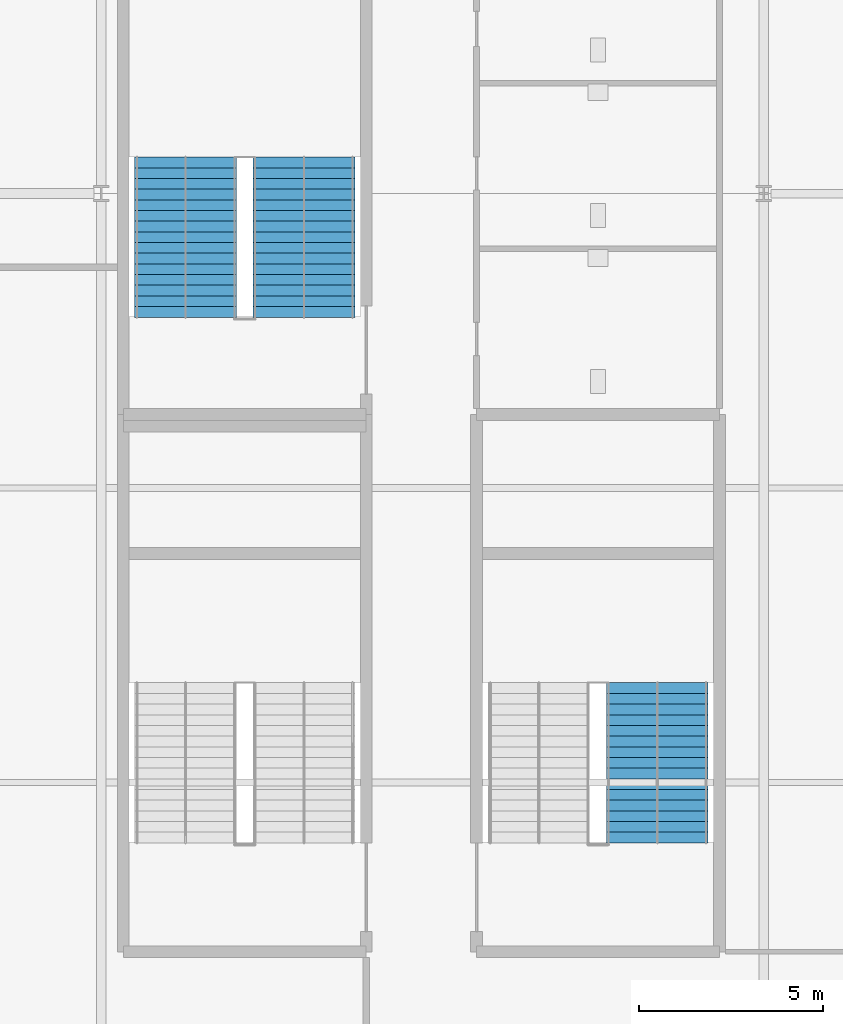
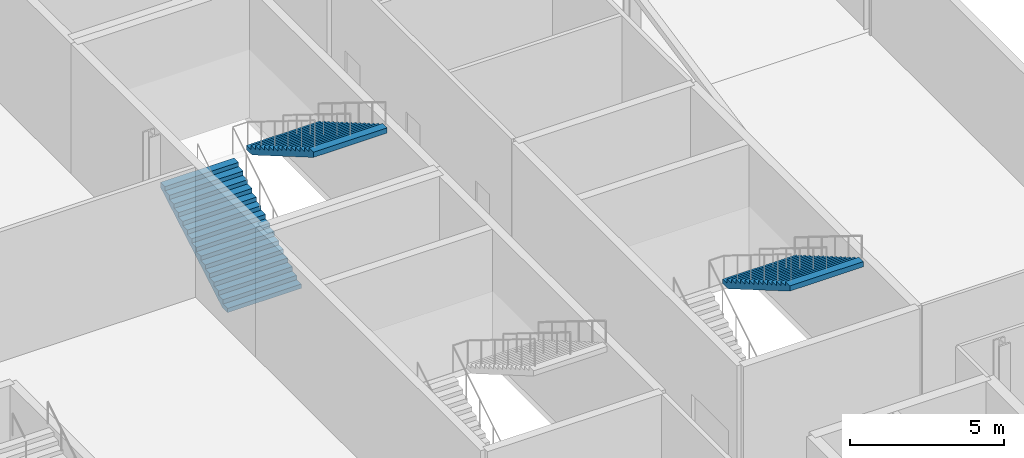
# One storey, part 91 of 113: 3 stair flights, 2 elements without a shape of their own.
"""IFC4 building model written with IfcOpenShell, lengths in metres."""

from ifc_helpers import new_model, si_unit, direction, frame, origin, place, context, subcontext, project, spatial, polygons, material, type_object, element, aggregate, save


model = new_model("IFC4")

# Units and contexts
model_context = context("Model", 3, precision=1e-05, world=origin(), true_north=direction((0.0, 1.0)))
body_context = subcontext(model_context, "Body", "Model", "MODEL_VIEW")
ifc_project = project(units=[si_unit("LENGTHUNIT", "METRE"), si_unit("AREAUNIT", "SQUARE_METRE"), si_unit("VOLUMEUNIT", "CUBIC_METRE"), si_unit("PLANEANGLEUNIT", "RADIAN"), si_unit("MASSUNIT", "GRAM", prefix="KILO")], contexts=[model_context])

# Site, building, storey
site_placement = place(None, origin())
site = spatial("IfcSite", under=ifc_project, at=site_placement, CompositionType="ELEMENT")
building_placement = place(site_placement, origin())
building = spatial("IfcBuilding", under=site, at=building_placement, Name="Kisiwana Market Hall", CompositionType="ELEMENT")
storey_placement = place(building_placement, frame((0.0, 0.0, 6.0)))
storey = spatial("IfcBuildingStorey", under=building, at=storey_placement, Name="L01", CompositionType="ELEMENT", Elevation=6.0)

# Stair, stair flight
ifc_material_1 = material(Name="Concrete C32/40", Category="concrete")
stair_type = type_object("IfcStairType", Name="ST-ESC-5400", PredefinedType="TWO_STRAIGHT_RUN_STAIR", material=ifc_material_1)
stair_1_placement = place(storey_placement, origin())
stair_1 = element("IfcStair", 1, at=stair_1_placement, inside=storey, type_object=stair_type, Name="Escape stair ST-E3-L01", PredefinedType="TWO_STRAIGHT_RUN_STAIR")
ifc_material_2 = material(Name="Concrete C32/40", Category="concrete")
stair_flight_type = type_object("IfcStairFlightType", Name="SF-ESC-5400", PredefinedType="STRAIGHT", material=ifc_material_2)
stair_flight_1_placement = place(storey_placement, frame((186.110107421875, 46.7099609375, 2.699951171875), z_axis=(0.0, 0.0, 1.0), x_axis=(0.0, -1.0, 0.0)))
stair_flight_1 = element("IfcStairFlight", 2, at=stair_flight_1_placement, type_object=stair_flight_type, Name="ST-E3-L01 flight 2", NumberOfRisers=16, NumberOfTreads=15, PredefinedType="STRAIGHT", RiserHeight=0.16875, TreadLength=0.29, context=body_context, shape_type="Tessellation", body=[
    polygons([(0.0, -1.380127, 0.0), (0.0, -0.690125, 0.0), (0.0, -0.000122, 0.0), (0.0, 0.68988, 0.0), (0.0, 1.379883, 0.0), (0.0, -1.380127, 0.168701), (0.0, -0.690125, 0.168701), (0.0, -0.000122, 0.168701), (0.0, 0.68988, 0.168701), (0.0, 1.379883, 0.168701), (0.290039, -1.380127, 0.168701), (0.290039, -0.690125, 0.168701), (0.290039, -0.000122, 0.168701), (0.290039, 0.68988, 0.168701), (0.290039, 1.379883, 0.168701), (0.290039, -1.380127, 0.337402), (0.290039, -0.690125, 0.337402), (0.290039, -0.000122, 0.337402), (0.290039, 0.68988, 0.337402), (0.290039, 1.379883, 0.337402), (0.580078, -1.380127, 0.337402), (0.580078, -0.690125, 0.337402), (0.580078, -0.000122, 0.337402), (0.580078, 0.68988, 0.337402), (0.580078, 1.379883, 0.337402), (0.580078, -1.380127, 0.506348), (0.580078, -0.690125, 0.506348), (0.580078, -0.000122, 0.506348), (0.580078, 0.68988, 0.506348), (0.580078, 1.379883, 0.506348), (0.870117, -1.380127, 0.506348), (0.870117, -0.690125, 0.506348), (0.870117, -0.000122, 0.506348), (0.870117, 0.68988, 0.506348), (0.870117, 1.379883, 0.506348), (0.870117, -1.380127, 0.675049), (0.870117, -0.690125, 0.675049), (0.870117, -0.000122, 0.675049), (0.870117, 0.68988, 0.675049), (0.870117, 1.379883, 0.675049), (1.159912, -1.380127, 0.675049), (1.159912, -0.690125, 0.675049), (1.159912, -0.000122, 0.675049), (1.159912, 0.68988, 0.675049), (1.159912, 1.379883, 0.675049), (1.159912, -1.380127, 0.84375), (1.159912, -0.690125, 0.84375), (1.159912, -0.000122, 0.84375), (1.159912, 0.68988, 0.84375), (1.159912, 1.379883, 0.84375), (1.449951, -1.380127, 0.84375), (1.449951, -0.690125, 0.84375), (1.449951, -0.000122, 0.84375), (1.449951, 0.68988, 0.84375), (1.449951, 1.379883, 0.84375), (1.449951, -1.380127, 1.012451), (1.449951, -0.690125, 1.012451), (1.449951, -0.000122, 1.012451), (1.449951, 0.68988, 1.012451), (1.449951, 1.379883, 1.012451), (1.73999, -1.380127, 1.012451), (1.73999, -0.690125, 1.012451), (1.73999, -0.000122, 1.012451), (1.73999, 0.68988, 1.012451), (1.73999, 1.379883, 1.012451), (1.73999, -1.380127, 1.181152), (1.73999, -0.690125, 1.181152), (1.73999, -0.000122, 1.181152), (1.73999, 0.68988, 1.181152), (1.73999, 1.379883, 1.181152), (2.030029, -1.380127, 1.181152), (2.030029, -0.690125, 1.181152), (2.030029, -0.000122, 1.181152), (2.030029, 0.68988, 1.181152), (2.030029, 1.379883, 1.181152), (2.030029, -1.380127, 1.350098), (2.030029, -0.690125, 1.350098), (2.030029, -0.000122, 1.350098), (2.030029, 0.68988, 1.350098), (2.030029, 1.379883, 1.350098), (2.320068, -1.380127, 1.350098), (2.320068, -0.690125, 1.350098), (2.320068, -0.000122, 1.350098), (2.320068, 0.68988, 1.350098), (2.320068, 1.379883, 1.350098), (2.320068, -1.380127, 1.518799), (2.320068, -0.690125, 1.518799), (2.320068, -0.000122, 1.518799), (2.320068, 0.68988, 1.518799), (2.320068, 1.379883, 1.518799), (2.610107, -1.380127, 1.518799), (2.610107, -0.690125, 1.518799), (2.610107, -0.000122, 1.518799), (2.610107, 0.68988, 1.518799), (2.610107, 1.379883, 1.518799), (2.610107, -1.380127, 1.6875), (2.610107, -0.690125, 1.6875), (2.610107, -0.000122, 1.6875), (2.610107, 0.68988, 1.6875), (2.610107, 1.379883, 1.6875), (2.899902, -1.380127, 1.6875), (2.899902, -0.690125, 1.6875), (2.899902, -0.000122, 1.6875), (2.899902, 0.68988, 1.6875), (2.899902, 1.379883, 1.6875), (2.899902, -1.380127, 1.856201), (2.899902, -0.690125, 1.856201), (2.899902, -0.000122, 1.856201), (2.899902, 0.68988, 1.856201), (2.899902, 1.379883, 1.856201), (3.189941, -1.380127, 1.856201), (3.189941, -0.690125, 1.856201), (3.189941, -0.000122, 1.856201), (3.189941, 0.68988, 1.856201), (3.189941, 1.379883, 1.856201), (3.189941, -1.380127, 2.024902), (3.189941, -0.690125, 2.024902), (3.189941, -0.000122, 2.024902), (3.189941, 0.68988, 2.024902), (3.189941, 1.379883, 2.024902), (3.47998, -1.380127, 2.024902), (3.47998, -0.690125, 2.024902), (3.47998, -0.000122, 2.024902), (3.47998, 0.68988, 2.024902), (3.47998, 1.379883, 2.024902), (3.47998, -1.380127, 2.193848), (3.47998, -0.690125, 2.193848), (3.47998, -0.000122, 2.193848), (3.47998, 0.68988, 2.193848), (3.47998, 1.379883, 2.193848), (3.77002, -1.380127, 2.193848), (3.77002, -0.690125, 2.193848), (3.77002, -0.000122, 2.193848), (3.77002, 0.68988, 2.193848), (3.77002, 1.379883, 2.193848), (3.77002, -1.380127, 2.362549), (3.77002, -0.690125, 2.362549), (3.77002, -0.000122, 2.362549), (3.77002, 0.68988, 2.362549), (3.77002, 1.379883, 2.362549), (4.060059, -1.380127, 2.362549), (4.060059, -0.690125, 2.362549), (4.060059, -0.000122, 2.362549), (4.060059, 0.68988, 2.362549), (4.060059, 1.379883, 2.362549), (4.060059, -1.380127, 2.53125), (4.060059, -0.690125, 2.53125), (4.060059, -0.000122, 2.53125), (4.060059, 0.68988, 2.53125), (4.060059, 1.379883, 2.53125), (4.350098, -1.380127, 2.53125), (4.350098, -0.690125, 2.53125), (4.350098, -0.000122, 2.53125), (4.350098, 0.68988, 2.53125), (4.350098, 1.379883, 2.53125), (4.350098, -1.380127, 2.322998), (4.350098, -0.690125, 2.322998), (4.350098, -0.000122, 2.322998), (4.350098, 0.68988, 2.322998), (4.350098, 1.379883, 2.322998), (0.357666, -1.380127, 0.0), (0.357666, -0.690125, 0.0), (0.357666, -0.000122, 0.0), (0.357666, 0.68988, 0.0), (0.357666, 1.379883, 0.0)], [[[1, 6, 7, 2]], [[2, 7, 8, 3]], [[3, 8, 9, 4]], [[4, 9, 10, 5]], [[6, 11, 12, 7]], [[7, 12, 13, 8]], [[8, 13, 14, 9]], [[9, 14, 15, 10]], [[11, 16, 17, 12]], [[12, 17, 18, 13]], [[13, 18, 19, 14]], [[14, 19, 20, 15]], [[16, 21, 22, 17]], [[17, 22, 23, 18]], [[18, 23, 24, 19]], [[19, 24, 25, 20]], [[21, 26, 27, 22]], [[22, 27, 28, 23]], [[23, 28, 29, 24]], [[24, 29, 30, 25]], [[26, 31, 32, 27]], [[27, 32, 33, 28]], [[28, 33, 34, 29]], [[29, 34, 35, 30]], [[31, 36, 37, 32]], [[32, 37, 38, 33]], [[33, 38, 39, 34]], [[34, 39, 40, 35]], [[36, 41, 42, 37]], [[37, 42, 43, 38]], [[38, 43, 44, 39]], [[39, 44, 45, 40]], [[41, 46, 47, 42]], [[42, 47, 48, 43]], [[43, 48, 49, 44]], [[44, 49, 50, 45]], [[46, 51, 52, 47]], [[47, 52, 53, 48]], [[48, 53, 54, 49]], [[49, 54, 55, 50]], [[51, 56, 57, 52]], [[52, 57, 58, 53]], [[53, 58, 59, 54]], [[54, 59, 60, 55]], [[56, 61, 62, 57]], [[57, 62, 63, 58]], [[58, 63, 64, 59]], [[59, 64, 65, 60]], [[61, 66, 67, 62]], [[62, 67, 68, 63]], [[63, 68, 69, 64]], [[64, 69, 70, 65]], [[66, 71, 72, 67]], [[67, 72, 73, 68]], [[68, 73, 74, 69]], [[69, 74, 75, 70]], [[71, 76, 77, 72]], [[72, 77, 78, 73]], [[73, 78, 79, 74]], [[74, 79, 80, 75]], [[76, 81, 82, 77]], [[77, 82, 83, 78]], [[78, 83, 84, 79]], [[79, 84, 85, 80]], [[81, 86, 87, 82]], [[82, 87, 88, 83]], [[83, 88, 89, 84]], [[84, 89, 90, 85]], [[86, 91, 92, 87]], [[87, 92, 93, 88]], [[88, 93, 94, 89]], [[89, 94, 95, 90]], [[91, 96, 97, 92]], [[92, 97, 98, 93]], [[93, 98, 99, 94]], [[94, 99, 100, 95]], [[96, 101, 102, 97]], [[97, 102, 103, 98]], [[98, 103, 104, 99]], [[99, 104, 105, 100]], [[101, 106, 107, 102]], [[102, 107, 108, 103]], [[103, 108, 109, 104]], [[104, 109, 110, 105]], [[106, 111, 112, 107]], [[107, 112, 113, 108]], [[108, 113, 114, 109]], [[109, 114, 115, 110]], [[111, 116, 117, 112]], [[112, 117, 118, 113]], [[113, 118, 119, 114]], [[114, 119, 120, 115]], [[116, 121, 122, 117]], [[117, 122, 123, 118]], [[118, 123, 124, 119]], [[119, 124, 125, 120]], [[121, 126, 127, 122]], [[122, 127, 128, 123]], [[123, 128, 129, 124]], [[124, 129, 130, 125]], [[126, 131, 132, 127]], [[127, 132, 133, 128]], [[128, 133, 134, 129]], [[129, 134, 135, 130]], [[131, 136, 137, 132]], [[132, 137, 138, 133]], [[133, 138, 139, 134]], [[134, 139, 140, 135]], [[136, 141, 142, 137]], [[137, 142, 143, 138]], [[138, 143, 144, 139]], [[139, 144, 145, 140]], [[141, 146, 147, 142]], [[142, 147, 148, 143]], [[143, 148, 149, 144]], [[144, 149, 150, 145]], [[146, 151, 152, 147]], [[147, 152, 153, 148]], [[148, 153, 154, 149]], [[149, 154, 155, 150]], [[151, 156, 157, 152]], [[152, 157, 158, 153]], [[153, 158, 159, 154]], [[154, 159, 160, 155]], [[156, 161, 162, 157]], [[157, 162, 163, 158]], [[158, 163, 164, 159]], [[159, 164, 165, 160]], [[161, 1, 2, 162]], [[162, 2, 3, 163]], [[163, 3, 4, 164]], [[164, 4, 5, 165]], [[161, 156, 151, 146, 141, 136, 131, 126, 121, 116, 111, 106, 101, 96, 91, 86, 81, 76, 71, 66, 61, 56, 51, 46, 41, 36, 31, 26, 21, 16, 11, 6, 1]], [[5, 10, 15, 20, 25, 30, 35, 40, 45, 50, 55, 60, 65, 70, 75, 80, 85, 90, 95, 100, 105, 110, 115, 120, 125, 130, 135, 140, 145, 150, 155, 160, 165]]], closed=True),
])
aggregate(stair_1, [stair_flight_1])

# Stair, stair flights
stair_2_placement = place(storey_placement, origin())
stair_2 = element("IfcStair", 3, at=stair_2_placement, inside=storey, type_object=stair_type, Name="Escape stair ST-E5-L01", PredefinedType="TWO_STRAIGHT_RUN_STAIR")
stair_flight_2_placement = place(storey_placement, frame((173.2900390625, 56.639892578125, 0.0), z_axis=(0.0, 0.0, 1.0), x_axis=(0.0, 1.0, 0.0)))
stair_flight_2 = element("IfcStairFlight", 4, at=stair_flight_2_placement, type_object=stair_flight_type, Name="ST-E5-L01 flight 1", NumberOfRisers=16, NumberOfTreads=15, PredefinedType="STRAIGHT", RiserHeight=0.16875, TreadLength=0.29, context=body_context, shape_type="Tessellation", body=[
    polygons([(0.0, -1.380127, 0.0), (0.0, -0.690125, 0.0), (0.0, -0.000122, 0.0), (0.0, 0.68988, 0.0), (0.0, 1.379883, 0.0), (0.0, -1.380127, 0.168701), (0.0, -0.690125, 0.168701), (0.0, -0.000122, 0.168701), (0.0, 0.68988, 0.168701), (0.0, 1.379883, 0.168701), (0.290039, -1.380127, 0.168701), (0.290039, -0.690125, 0.168701), (0.290039, -0.000122, 0.168701), (0.290039, 0.68988, 0.168701), (0.290039, 1.379883, 0.168701), (0.290039, -1.380127, 0.337402), (0.290039, -0.690125, 0.337402), (0.290039, -0.000122, 0.337402), (0.290039, 0.68988, 0.337402), (0.290039, 1.379883, 0.337402), (0.580078, -1.380127, 0.337402), (0.580078, -0.690125, 0.337402), (0.580078, -0.000122, 0.337402), (0.580078, 0.68988, 0.337402), (0.580078, 1.379883, 0.337402), (0.580078, -1.380127, 0.506348), (0.580078, -0.690125, 0.506348), (0.580078, -0.000122, 0.506348), (0.580078, 0.68988, 0.506348), (0.580078, 1.379883, 0.506348), (0.870117, -1.380127, 0.506348), (0.870117, -0.690125, 0.506348), (0.870117, -0.000122, 0.506348), (0.870117, 0.68988, 0.506348), (0.870117, 1.379883, 0.506348), (0.870117, -1.380127, 0.675049), (0.870117, -0.690125, 0.675049), (0.870117, -0.000122, 0.675049), (0.870117, 0.68988, 0.675049), (0.870117, 1.379883, 0.675049), (1.159912, -1.380127, 0.675049), (1.159912, -0.690125, 0.675049), (1.159912, -0.000122, 0.675049), (1.159912, 0.68988, 0.675049), (1.159912, 1.379883, 0.675049), (1.159912, -1.380127, 0.84375), (1.159912, -0.690125, 0.84375), (1.159912, -0.000122, 0.84375), (1.159912, 0.68988, 0.84375), (1.159912, 1.379883, 0.84375), (1.449951, -1.380127, 0.84375), (1.449951, -0.690125, 0.84375), (1.449951, -0.000122, 0.84375), (1.449951, 0.68988, 0.84375), (1.449951, 1.379883, 0.84375), (1.449951, -1.380127, 1.012451), (1.449951, -0.690125, 1.012451), (1.449951, -0.000122, 1.012451), (1.449951, 0.68988, 1.012451), (1.449951, 1.379883, 1.012451), (1.73999, -1.380127, 1.012451), (1.73999, -0.690125, 1.012451), (1.73999, -0.000122, 1.012451), (1.73999, 0.68988, 1.012451), (1.73999, 1.379883, 1.012451), (1.73999, -1.380127, 1.181152), (1.73999, -0.690125, 1.181152), (1.73999, -0.000122, 1.181152), (1.73999, 0.68988, 1.181152), (1.73999, 1.379883, 1.181152), (2.030029, -1.380127, 1.181152), (2.030029, -0.690125, 1.181152), (2.030029, -0.000122, 1.181152), (2.030029, 0.68988, 1.181152), (2.030029, 1.379883, 1.181152), (2.030029, -1.380127, 1.350098), (2.030029, -0.690125, 1.350098), (2.030029, -0.000122, 1.350098), (2.030029, 0.68988, 1.350098), (2.030029, 1.379883, 1.350098), (2.320068, -1.380127, 1.350098), (2.320068, -0.690125, 1.350098), (2.320068, -0.000122, 1.350098), (2.320068, 0.68988, 1.350098), (2.320068, 1.379883, 1.350098), (2.320068, -1.380127, 1.518799), (2.320068, -0.690125, 1.518799), (2.320068, -0.000122, 1.518799), (2.320068, 0.68988, 1.518799), (2.320068, 1.379883, 1.518799), (2.610107, -1.380127, 1.518799), (2.610107, -0.690125, 1.518799), (2.610107, -0.000122, 1.518799), (2.610107, 0.68988, 1.518799), (2.610107, 1.379883, 1.518799), (2.610107, -1.380127, 1.6875), (2.610107, -0.690125, 1.6875), (2.610107, -0.000122, 1.6875), (2.610107, 0.68988, 1.6875), (2.610107, 1.379883, 1.6875), (2.899902, -1.380127, 1.6875), (2.899902, -0.690125, 1.6875), (2.899902, -0.000122, 1.6875), (2.899902, 0.68988, 1.6875), (2.899902, 1.379883, 1.6875), (2.899902, -1.380127, 1.856201), (2.899902, -0.690125, 1.856201), (2.899902, -0.000122, 1.856201), (2.899902, 0.68988, 1.856201), (2.899902, 1.379883, 1.856201), (3.189941, -1.380127, 1.856201), (3.189941, -0.690125, 1.856201), (3.189941, -0.000122, 1.856201), (3.189941, 0.68988, 1.856201), (3.189941, 1.379883, 1.856201), (3.189941, -1.380127, 2.024902), (3.189941, -0.690125, 2.024902), (3.189941, -0.000122, 2.024902), (3.189941, 0.68988, 2.024902), (3.189941, 1.379883, 2.024902), (3.47998, -1.380127, 2.024902), (3.47998, -0.690125, 2.024902), (3.47998, -0.000122, 2.024902), (3.47998, 0.68988, 2.024902), (3.47998, 1.379883, 2.024902), (3.47998, -1.380127, 2.193848), (3.47998, -0.690125, 2.193848), (3.47998, -0.000122, 2.193848), (3.47998, 0.68988, 2.193848), (3.47998, 1.379883, 2.193848), (3.77002, -1.380127, 2.193848), (3.77002, -0.690125, 2.193848), (3.77002, -0.000122, 2.193848), (3.77002, 0.68988, 2.193848), (3.77002, 1.379883, 2.193848), (3.77002, -1.380127, 2.362549), (3.77002, -0.690125, 2.362549), (3.77002, -0.000122, 2.362549), (3.77002, 0.68988, 2.362549), (3.77002, 1.379883, 2.362549), (4.060059, -1.380127, 2.362549), (4.060059, -0.690125, 2.362549), (4.060059, -0.000122, 2.362549), (4.060059, 0.68988, 2.362549), (4.060059, 1.379883, 2.362549), (4.060059, -1.380127, 2.53125), (4.060059, -0.690125, 2.53125), (4.060059, -0.000122, 2.53125), (4.060059, 0.68988, 2.53125), (4.060059, 1.379883, 2.53125), (4.350098, -1.380127, 2.53125), (4.350098, -0.690125, 2.53125), (4.350098, -0.000122, 2.53125), (4.350098, 0.68988, 2.53125), (4.350098, 1.379883, 2.53125), (4.350098, -1.380127, 2.322998), (4.350098, -0.690125, 2.322998), (4.350098, -0.000122, 2.322998), (4.350098, 0.68988, 2.322998), (4.350098, 1.379883, 2.322998), (0.357666, -1.380127, 0.0), (0.357666, -0.690125, 0.0), (0.357666, -0.000122, 0.0), (0.357666, 0.68988, 0.0), (0.357666, 1.379883, 0.0)], [[[1, 6, 7, 2]], [[2, 7, 8, 3]], [[3, 8, 9, 4]], [[4, 9, 10, 5]], [[6, 11, 12, 7]], [[7, 12, 13, 8]], [[8, 13, 14, 9]], [[9, 14, 15, 10]], [[11, 16, 17, 12]], [[12, 17, 18, 13]], [[13, 18, 19, 14]], [[14, 19, 20, 15]], [[16, 21, 22, 17]], [[17, 22, 23, 18]], [[18, 23, 24, 19]], [[19, 24, 25, 20]], [[21, 26, 27, 22]], [[22, 27, 28, 23]], [[23, 28, 29, 24]], [[24, 29, 30, 25]], [[26, 31, 32, 27]], [[27, 32, 33, 28]], [[28, 33, 34, 29]], [[29, 34, 35, 30]], [[31, 36, 37, 32]], [[32, 37, 38, 33]], [[33, 38, 39, 34]], [[34, 39, 40, 35]], [[36, 41, 42, 37]], [[37, 42, 43, 38]], [[38, 43, 44, 39]], [[39, 44, 45, 40]], [[41, 46, 47, 42]], [[42, 47, 48, 43]], [[43, 48, 49, 44]], [[44, 49, 50, 45]], [[46, 51, 52, 47]], [[47, 52, 53, 48]], [[48, 53, 54, 49]], [[49, 54, 55, 50]], [[51, 56, 57, 52]], [[52, 57, 58, 53]], [[53, 58, 59, 54]], [[54, 59, 60, 55]], [[56, 61, 62, 57]], [[57, 62, 63, 58]], [[58, 63, 64, 59]], [[59, 64, 65, 60]], [[61, 66, 67, 62]], [[62, 67, 68, 63]], [[63, 68, 69, 64]], [[64, 69, 70, 65]], [[66, 71, 72, 67]], [[67, 72, 73, 68]], [[68, 73, 74, 69]], [[69, 74, 75, 70]], [[71, 76, 77, 72]], [[72, 77, 78, 73]], [[73, 78, 79, 74]], [[74, 79, 80, 75]], [[76, 81, 82, 77]], [[77, 82, 83, 78]], [[78, 83, 84, 79]], [[79, 84, 85, 80]], [[81, 86, 87, 82]], [[82, 87, 88, 83]], [[83, 88, 89, 84]], [[84, 89, 90, 85]], [[86, 91, 92, 87]], [[87, 92, 93, 88]], [[88, 93, 94, 89]], [[89, 94, 95, 90]], [[91, 96, 97, 92]], [[92, 97, 98, 93]], [[93, 98, 99, 94]], [[94, 99, 100, 95]], [[96, 101, 102, 97]], [[97, 102, 103, 98]], [[98, 103, 104, 99]], [[99, 104, 105, 100]], [[101, 106, 107, 102]], [[102, 107, 108, 103]], [[103, 108, 109, 104]], [[104, 109, 110, 105]], [[106, 111, 112, 107]], [[107, 112, 113, 108]], [[108, 113, 114, 109]], [[109, 114, 115, 110]], [[111, 116, 117, 112]], [[112, 117, 118, 113]], [[113, 118, 119, 114]], [[114, 119, 120, 115]], [[116, 121, 122, 117]], [[117, 122, 123, 118]], [[118, 123, 124, 119]], [[119, 124, 125, 120]], [[121, 126, 127, 122]], [[122, 127, 128, 123]], [[123, 128, 129, 124]], [[124, 129, 130, 125]], [[126, 131, 132, 127]], [[127, 132, 133, 128]], [[128, 133, 134, 129]], [[129, 134, 135, 130]], [[131, 136, 137, 132]], [[132, 137, 138, 133]], [[133, 138, 139, 134]], [[134, 139, 140, 135]], [[136, 141, 142, 137]], [[137, 142, 143, 138]], [[138, 143, 144, 139]], [[139, 144, 145, 140]], [[141, 146, 147, 142]], [[142, 147, 148, 143]], [[143, 148, 149, 144]], [[144, 149, 150, 145]], [[146, 151, 152, 147]], [[147, 152, 153, 148]], [[148, 153, 154, 149]], [[149, 154, 155, 150]], [[151, 156, 157, 152]], [[152, 157, 158, 153]], [[153, 158, 159, 154]], [[154, 159, 160, 155]], [[156, 161, 162, 157]], [[157, 162, 163, 158]], [[158, 163, 164, 159]], [[159, 164, 165, 160]], [[161, 1, 2, 162]], [[162, 2, 3, 163]], [[163, 3, 4, 164]], [[164, 4, 5, 165]], [[161, 156, 151, 146, 141, 136, 131, 126, 121, 116, 111, 106, 101, 96, 91, 86, 81, 76, 71, 66, 61, 56, 51, 46, 41, 36, 31, 26, 21, 16, 11, 6, 1]], [[5, 10, 15, 20, 25, 30, 35, 40, 45, 50, 55, 60, 65, 70, 75, 80, 85, 90, 95, 100, 105, 110, 115, 120, 125, 130, 135, 140, 145, 150, 155, 160, 165]]], closed=True),
])
stair_flight_3_placement = place(storey_placement, frame((176.510009765625, 60.989990234375, 2.699951171875), z_axis=(0.0, 0.0, 1.0), x_axis=(0.0, -1.0, 0.0)))
stair_flight_3 = element("IfcStairFlight", 5, at=stair_flight_3_placement, type_object=stair_flight_type, Name="ST-E5-L01 flight 2", NumberOfRisers=16, NumberOfTreads=15, PredefinedType="STRAIGHT", RiserHeight=0.16875, TreadLength=0.29, context=body_context, shape_type="Tessellation", body=[
    polygons([(0.0, -1.380127, 0.0), (0.0, -0.690125, 0.0), (0.0, -0.000122, 0.0), (0.0, 0.68988, 0.0), (0.0, 1.379883, 0.0), (0.0, -1.380127, 0.168701), (0.0, -0.690125, 0.168701), (0.0, -0.000122, 0.168701), (0.0, 0.68988, 0.168701), (0.0, 1.379883, 0.168701), (0.290039, -1.380127, 0.168701), (0.290039, -0.690125, 0.168701), (0.290039, -0.000122, 0.168701), (0.290039, 0.68988, 0.168701), (0.290039, 1.379883, 0.168701), (0.290039, -1.380127, 0.337402), (0.290039, -0.690125, 0.337402), (0.290039, -0.000122, 0.337402), (0.290039, 0.68988, 0.337402), (0.290039, 1.379883, 0.337402), (0.580078, -1.380127, 0.337402), (0.580078, -0.690125, 0.337402), (0.580078, -0.000122, 0.337402), (0.580078, 0.68988, 0.337402), (0.580078, 1.379883, 0.337402), (0.580078, -1.380127, 0.506348), (0.580078, -0.690125, 0.506348), (0.580078, -0.000122, 0.506348), (0.580078, 0.68988, 0.506348), (0.580078, 1.379883, 0.506348), (0.870117, -1.380127, 0.506348), (0.870117, -0.690125, 0.506348), (0.870117, -0.000122, 0.506348), (0.870117, 0.68988, 0.506348), (0.870117, 1.379883, 0.506348), (0.870117, -1.380127, 0.675049), (0.870117, -0.690125, 0.675049), (0.870117, -0.000122, 0.675049), (0.870117, 0.68988, 0.675049), (0.870117, 1.379883, 0.675049), (1.159912, -1.380127, 0.675049), (1.159912, -0.690125, 0.675049), (1.159912, -0.000122, 0.675049), (1.159912, 0.68988, 0.675049), (1.159912, 1.379883, 0.675049), (1.159912, -1.380127, 0.84375), (1.159912, -0.690125, 0.84375), (1.159912, -0.000122, 0.84375), (1.159912, 0.68988, 0.84375), (1.159912, 1.379883, 0.84375), (1.449951, -1.380127, 0.84375), (1.449951, -0.690125, 0.84375), (1.449951, -0.000122, 0.84375), (1.449951, 0.68988, 0.84375), (1.449951, 1.379883, 0.84375), (1.449951, -1.380127, 1.012451), (1.449951, -0.690125, 1.012451), (1.449951, -0.000122, 1.012451), (1.449951, 0.68988, 1.012451), (1.449951, 1.379883, 1.012451), (1.73999, -1.380127, 1.012451), (1.73999, -0.690125, 1.012451), (1.73999, -0.000122, 1.012451), (1.73999, 0.68988, 1.012451), (1.73999, 1.379883, 1.012451), (1.73999, -1.380127, 1.181152), (1.73999, -0.690125, 1.181152), (1.73999, -0.000122, 1.181152), (1.73999, 0.68988, 1.181152), (1.73999, 1.379883, 1.181152), (2.030029, -1.380127, 1.181152), (2.030029, -0.690125, 1.181152), (2.030029, -0.000122, 1.181152), (2.030029, 0.68988, 1.181152), (2.030029, 1.379883, 1.181152), (2.030029, -1.380127, 1.350098), (2.030029, -0.690125, 1.350098), (2.030029, -0.000122, 1.350098), (2.030029, 0.68988, 1.350098), (2.030029, 1.379883, 1.350098), (2.320068, -1.380127, 1.350098), (2.320068, -0.690125, 1.350098), (2.320068, -0.000122, 1.350098), (2.320068, 0.68988, 1.350098), (2.320068, 1.379883, 1.350098), (2.320068, -1.380127, 1.518799), (2.320068, -0.690125, 1.518799), (2.320068, -0.000122, 1.518799), (2.320068, 0.68988, 1.518799), (2.320068, 1.379883, 1.518799), (2.610107, -1.380127, 1.518799), (2.610107, -0.690125, 1.518799), (2.610107, -0.000122, 1.518799), (2.610107, 0.68988, 1.518799), (2.610107, 1.379883, 1.518799), (2.610107, -1.380127, 1.6875), (2.610107, -0.690125, 1.6875), (2.610107, -0.000122, 1.6875), (2.610107, 0.68988, 1.6875), (2.610107, 1.379883, 1.6875), (2.899902, -1.380127, 1.6875), (2.899902, -0.690125, 1.6875), (2.899902, -0.000122, 1.6875), (2.899902, 0.68988, 1.6875), (2.899902, 1.379883, 1.6875), (2.899902, -1.380127, 1.856201), (2.899902, -0.690125, 1.856201), (2.899902, -0.000122, 1.856201), (2.899902, 0.68988, 1.856201), (2.899902, 1.379883, 1.856201), (3.189941, -1.380127, 1.856201), (3.189941, -0.690125, 1.856201), (3.189941, -0.000122, 1.856201), (3.189941, 0.68988, 1.856201), (3.189941, 1.379883, 1.856201), (3.189941, -1.380127, 2.024902), (3.189941, -0.690125, 2.024902), (3.189941, -0.000122, 2.024902), (3.189941, 0.68988, 2.024902), (3.189941, 1.379883, 2.024902), (3.47998, -1.380127, 2.024902), (3.47998, -0.690125, 2.024902), (3.47998, -0.000122, 2.024902), (3.47998, 0.68988, 2.024902), (3.47998, 1.379883, 2.024902), (3.47998, -1.380127, 2.193848), (3.47998, -0.690125, 2.193848), (3.47998, -0.000122, 2.193848), (3.47998, 0.68988, 2.193848), (3.47998, 1.379883, 2.193848), (3.77002, -1.380127, 2.193848), (3.77002, -0.690125, 2.193848), (3.77002, -0.000122, 2.193848), (3.77002, 0.68988, 2.193848), (3.77002, 1.379883, 2.193848), (3.77002, -1.380127, 2.362549), (3.77002, -0.690125, 2.362549), (3.77002, -0.000122, 2.362549), (3.77002, 0.68988, 2.362549), (3.77002, 1.379883, 2.362549), (4.060059, -1.380127, 2.362549), (4.060059, -0.690125, 2.362549), (4.060059, -0.000122, 2.362549), (4.060059, 0.68988, 2.362549), (4.060059, 1.379883, 2.362549), (4.060059, -1.380127, 2.53125), (4.060059, -0.690125, 2.53125), (4.060059, -0.000122, 2.53125), (4.060059, 0.68988, 2.53125), (4.060059, 1.379883, 2.53125), (4.350098, -1.380127, 2.53125), (4.350098, -0.690125, 2.53125), (4.350098, -0.000122, 2.53125), (4.350098, 0.68988, 2.53125), (4.350098, 1.379883, 2.53125), (4.350098, -1.380127, 2.322998), (4.350098, -0.690125, 2.322998), (4.350098, -0.000122, 2.322998), (4.350098, 0.68988, 2.322998), (4.350098, 1.379883, 2.322998), (0.357666, -1.380127, 0.0), (0.357666, -0.690125, 0.0), (0.357666, -0.000122, 0.0), (0.357666, 0.68988, 0.0), (0.357666, 1.379883, 0.0)], [[[1, 6, 7, 2]], [[2, 7, 8, 3]], [[3, 8, 9, 4]], [[4, 9, 10, 5]], [[6, 11, 12, 7]], [[7, 12, 13, 8]], [[8, 13, 14, 9]], [[9, 14, 15, 10]], [[11, 16, 17, 12]], [[12, 17, 18, 13]], [[13, 18, 19, 14]], [[14, 19, 20, 15]], [[16, 21, 22, 17]], [[17, 22, 23, 18]], [[18, 23, 24, 19]], [[19, 24, 25, 20]], [[21, 26, 27, 22]], [[22, 27, 28, 23]], [[23, 28, 29, 24]], [[24, 29, 30, 25]], [[26, 31, 32, 27]], [[27, 32, 33, 28]], [[28, 33, 34, 29]], [[29, 34, 35, 30]], [[31, 36, 37, 32]], [[32, 37, 38, 33]], [[33, 38, 39, 34]], [[34, 39, 40, 35]], [[36, 41, 42, 37]], [[37, 42, 43, 38]], [[38, 43, 44, 39]], [[39, 44, 45, 40]], [[41, 46, 47, 42]], [[42, 47, 48, 43]], [[43, 48, 49, 44]], [[44, 49, 50, 45]], [[46, 51, 52, 47]], [[47, 52, 53, 48]], [[48, 53, 54, 49]], [[49, 54, 55, 50]], [[51, 56, 57, 52]], [[52, 57, 58, 53]], [[53, 58, 59, 54]], [[54, 59, 60, 55]], [[56, 61, 62, 57]], [[57, 62, 63, 58]], [[58, 63, 64, 59]], [[59, 64, 65, 60]], [[61, 66, 67, 62]], [[62, 67, 68, 63]], [[63, 68, 69, 64]], [[64, 69, 70, 65]], [[66, 71, 72, 67]], [[67, 72, 73, 68]], [[68, 73, 74, 69]], [[69, 74, 75, 70]], [[71, 76, 77, 72]], [[72, 77, 78, 73]], [[73, 78, 79, 74]], [[74, 79, 80, 75]], [[76, 81, 82, 77]], [[77, 82, 83, 78]], [[78, 83, 84, 79]], [[79, 84, 85, 80]], [[81, 86, 87, 82]], [[82, 87, 88, 83]], [[83, 88, 89, 84]], [[84, 89, 90, 85]], [[86, 91, 92, 87]], [[87, 92, 93, 88]], [[88, 93, 94, 89]], [[89, 94, 95, 90]], [[91, 96, 97, 92]], [[92, 97, 98, 93]], [[93, 98, 99, 94]], [[94, 99, 100, 95]], [[96, 101, 102, 97]], [[97, 102, 103, 98]], [[98, 103, 104, 99]], [[99, 104, 105, 100]], [[101, 106, 107, 102]], [[102, 107, 108, 103]], [[103, 108, 109, 104]], [[104, 109, 110, 105]], [[106, 111, 112, 107]], [[107, 112, 113, 108]], [[108, 113, 114, 109]], [[109, 114, 115, 110]], [[111, 116, 117, 112]], [[112, 117, 118, 113]], [[113, 118, 119, 114]], [[114, 119, 120, 115]], [[116, 121, 122, 117]], [[117, 122, 123, 118]], [[118, 123, 124, 119]], [[119, 124, 125, 120]], [[121, 126, 127, 122]], [[122, 127, 128, 123]], [[123, 128, 129, 124]], [[124, 129, 130, 125]], [[126, 131, 132, 127]], [[127, 132, 133, 128]], [[128, 133, 134, 129]], [[129, 134, 135, 130]], [[131, 136, 137, 132]], [[132, 137, 138, 133]], [[133, 138, 139, 134]], [[134, 139, 140, 135]], [[136, 141, 142, 137]], [[137, 142, 143, 138]], [[138, 143, 144, 139]], [[139, 144, 145, 140]], [[141, 146, 147, 142]], [[142, 147, 148, 143]], [[143, 148, 149, 144]], [[144, 149, 150, 145]], [[146, 151, 152, 147]], [[147, 152, 153, 148]], [[148, 153, 154, 149]], [[149, 154, 155, 150]], [[151, 156, 157, 152]], [[152, 157, 158, 153]], [[153, 158, 159, 154]], [[154, 159, 160, 155]], [[156, 161, 162, 157]], [[157, 162, 163, 158]], [[158, 163, 164, 159]], [[159, 164, 165, 160]], [[161, 1, 2, 162]], [[162, 2, 3, 163]], [[163, 3, 4, 164]], [[164, 4, 5, 165]], [[161, 156, 151, 146, 141, 136, 131, 126, 121, 116, 111, 106, 101, 96, 91, 86, 81, 76, 71, 66, 61, 56, 51, 46, 41, 36, 31, 26, 21, 16, 11, 6, 1]], [[5, 10, 15, 20, 25, 30, 35, 40, 45, 50, 55, 60, 65, 70, 75, 80, 85, 90, 95, 100, 105, 110, 115, 120, 125, 130, 135, 140, 145, 150, 155, 160, 165]]], closed=True),
])
aggregate(stair_2, [stair_flight_2, stair_flight_3])

save(model, "model.ifc")
